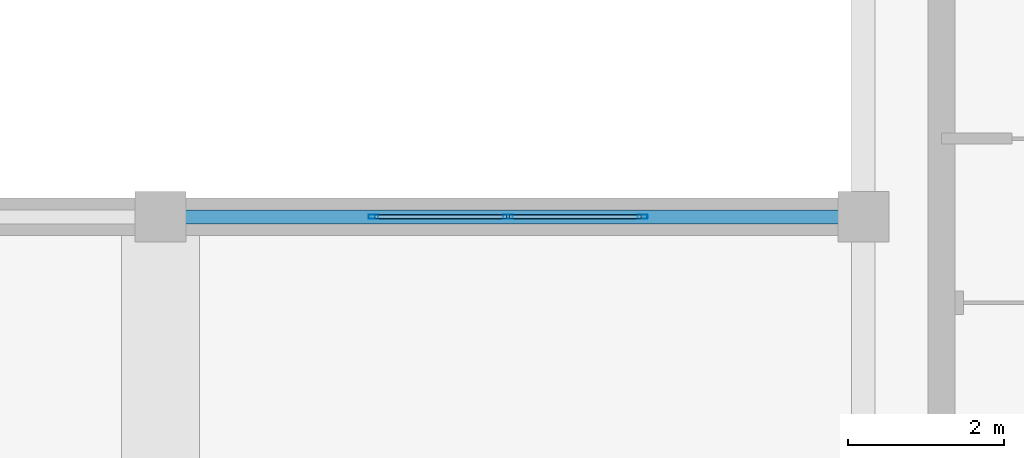
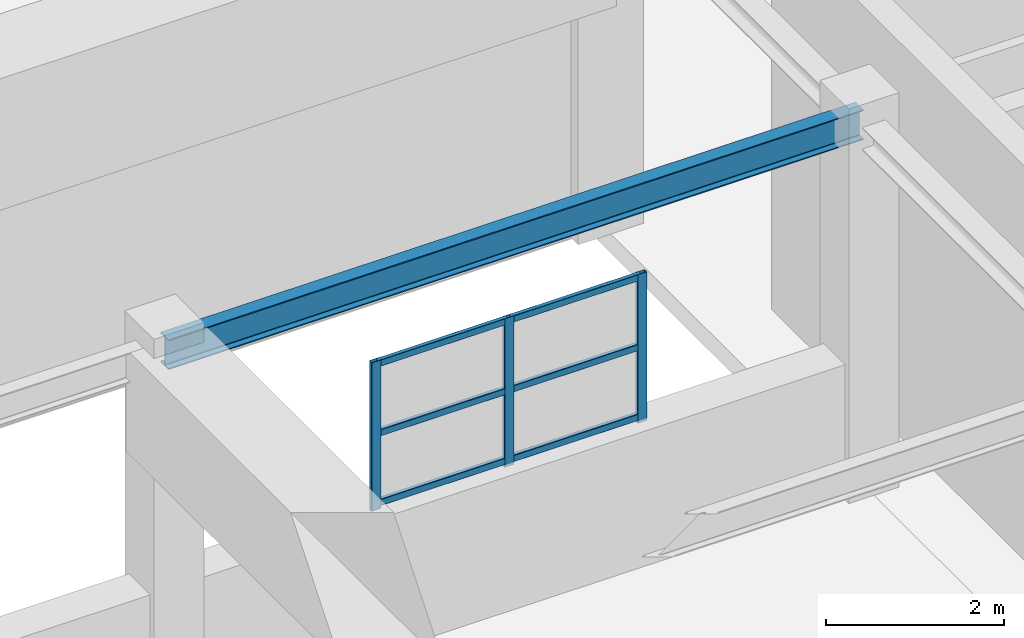
# One storey, part 31 of 197: 9 members, 1 beam, 1 element without a shape of its own.
"""IFC4 building model written with IfcOpenShell, lengths in metres."""

from ifc_helpers import new_model, si_unit, derived_unit, direction, frame, origin, origin_2d, place, context, subcontext, project, spatial, hollow_rectangle, i_section, extrude, material, layer, layer_set, material_profile, profile_set, type_object, element, aggregate, save


model = new_model("IFC4")

# Units and contexts
model_context = context("Model", 3, precision=1e-05, world=origin(), true_north=direction((0.0, 1.0)))
body_context = subcontext(model_context, "Body", "Model", "MODEL_VIEW")
ifc_project = project(units=[si_unit("LENGTHUNIT", "METRE"), si_unit("AREAUNIT", "SQUARE_METRE"), si_unit("VOLUMEUNIT", "CUBIC_METRE"), si_unit("PLANEANGLEUNIT", "RADIAN"), si_unit("MASSUNIT", "GRAM", prefix="KILO"), derived_unit("THERMALTRANSMITTANCEUNIT", [(si_unit("POWERUNIT", "WATT"), 1), (si_unit("LENGTHUNIT", "METRE"), -2), (si_unit("THERMODYNAMICTEMPERATUREUNIT", "KELVIN"), -1)])], contexts=[model_context])

# Site, building, storey
site_placement = place(None, origin())
site = spatial("IfcSite", under=ifc_project, at=site_placement, CompositionType="ELEMENT")
building_placement = place(site_placement, origin())
building = spatial("IfcBuilding", under=site, at=building_placement, Name="Almenara Railside Exhibition Hall", CompositionType="ELEMENT")
storey_placement = place(building_placement, frame((0.0, 0.0, 5.39990234375)))
storey = spatial("IfcBuildingStorey", under=building, at=storey_placement, Name="L01", CompositionType="ELEMENT", Elevation=5.39990234375)

# Curtain wall, members
ifc_material_1 = material(Name="Bronze-anodised aluminium and low-E double glazing", Category="aluminium")
ifc_layer = layer(ifc_material_1, 0.179931640625, Name="Bronze-anodised aluminium and low-E double glazing")
ifc_layer_set = layer_set([ifc_layer], Name="Bronze-anodised aluminium and low-E double glazing")
curtain_wall_type = type_object("IfcCurtainWallType", Name="Plenary Clerestory Curtain Wall 3500x2000", PredefinedType="NOTDEFINED", material=ifc_layer_set)
curtain_wall_placement = place(storey_placement, origin())
curtain_wall = element("IfcCurtainWall", 1, at=curtain_wall_placement, inside=storey, type_object=curtain_wall_type, Name="Curtain wall CW-CL5-106", PredefinedType="NOTDEFINED")
ifc_material_2 = material(Name="Bronze-anodised aluminium", Category="aluminium")
ifc_material_profile_1 = material_profile(ifc_material_2, hollow_rectangle(XDim=0.054931640625, YDim=0.125, WallThickness=0.0029296875, InnerFilletRadius=0.0029296875, OuterFilletRadius=0.006103515625, at=origin_2d()), Name="ALU-MUL 55x125x3")
ifc_profile_set_1 = profile_set([ifc_material_profile_1], Name="Bronze-anodised aluminium")
member_type_1 = type_object("IfcMemberType", Name="Curtain Wall Mullion 55x125x3", PredefinedType="MULLION", material=ifc_profile_set_1)
member_1_placement = place(storey_placement, frame((59.7275390625, 42.0, 1.815185546875), z_axis=(0.0, 0.0, 1.0), x_axis=(0.0, 1.0, 0.0)))
member_1 = element("IfcMember", 2, at=member_1_placement, type_object=member_type_1, Name="CW-CL5-106 mullion 1", PredefinedType="MULLION", context=body_context, shape_type="SweptSolid", body=[
    extrude(hollow_rectangle(XDim=0.054931640625, YDim=0.125, WallThickness=0.0029296875, InnerFilletRadius=0.0029296875, OuterFilletRadius=0.006103515625, at=origin_2d()), origin(), (0.0, 0.0, 1.0), 2.034912109375),
])
member_2_placement = place(storey_placement, frame((61.449951171875, 42.0, 1.815185546875), z_axis=(0.0, 0.0, 1.0), x_axis=(0.0, 1.0, 0.0)))
member_2 = element("IfcMember", 3, at=member_2_placement, type_object=member_type_1, Name="CW-CL5-106 mullion 2", PredefinedType="MULLION", context=body_context, shape_type="SweptSolid", body=[
    extrude(hollow_rectangle(XDim=0.054931640625, YDim=0.125, WallThickness=0.0029296875, InnerFilletRadius=0.0029296875, OuterFilletRadius=0.006103515625, at=origin_2d()), origin(), (0.0, 0.0, 1.0), 2.034912109375),
])
member_3_placement = place(storey_placement, frame((63.172607421875, 42.0, 1.815185546875), z_axis=(0.0, 0.0, 1.0), x_axis=(0.0, 1.0, 0.0)))
member_3 = element("IfcMember", 4, at=member_3_placement, type_object=member_type_1, Name="CW-CL5-106 mullion 3", PredefinedType="MULLION", context=body_context, shape_type="SweptSolid", body=[
    extrude(hollow_rectangle(XDim=0.054931640625, YDim=0.125, WallThickness=0.0029296875, InnerFilletRadius=0.0029296875, OuterFilletRadius=0.006103515625, at=origin_2d()), origin(), (0.0, 0.0, 1.0), 2.034912109375),
])
ifc_material_profile_2 = material_profile(ifc_material_2, hollow_rectangle(XDim=0.054931640625, YDim=0.090087890625, WallThickness=0.0029296875, InnerFilletRadius=0.0029296875, OuterFilletRadius=0.006103515625, at=origin_2d()), Name="ALU-TRN 55x90x3")
ifc_profile_set_2 = profile_set([ifc_material_profile_2], Name="Bronze-anodised aluminium")
member_type_2 = type_object("IfcMemberType", Name="Curtain Wall Transom 55x90x3", PredefinedType="USERDEFINED", material=ifc_profile_set_2)
member_4_placement = place(storey_placement, frame((59.7470703125, 42.0, 1.89501953125), z_axis=(1.0, 0.0, 0.0), x_axis=(0.0, 1.0, 0.0)))
member_4 = element("IfcMember", 5, at=member_4_placement, type_object=member_type_2, Name="CW-CL5-106 transom 1.1", ObjectType="TRANSOM", PredefinedType="USERDEFINED", context=body_context, shape_type="SweptSolid", body=[
    extrude(hollow_rectangle(XDim=0.054931640625, YDim=0.090087890625, WallThickness=0.0029296875, InnerFilletRadius=0.0029296875, OuterFilletRadius=0.006103515625, at=origin_2d()), origin(), (0.0, 0.0, 1.0), 1.683349609375),
])
member_5_placement = place(storey_placement, frame((59.7470703125, 42.0, 2.85009765625), z_axis=(1.0, 0.0, 0.0), x_axis=(0.0, 1.0, 0.0)))
member_5 = element("IfcMember", 6, at=member_5_placement, type_object=member_type_2, Name="CW-CL5-106 transom 1.2", ObjectType="TRANSOM", PredefinedType="USERDEFINED", context=body_context, shape_type="SweptSolid", body=[
    extrude(hollow_rectangle(XDim=0.054931640625, YDim=0.090087890625, WallThickness=0.0029296875, InnerFilletRadius=0.0029296875, OuterFilletRadius=0.006103515625, at=origin_2d()), origin(), (0.0, 0.0, 1.0), 1.683349609375),
])
member_6_placement = place(storey_placement, frame((59.7470703125, 42.0, 3.80517578125), z_axis=(1.0, 0.0, 0.0), x_axis=(0.0, 1.0, 0.0)))
member_6 = element("IfcMember", 7, at=member_6_placement, type_object=member_type_2, Name="CW-CL5-106 transom 1.3", ObjectType="TRANSOM", PredefinedType="USERDEFINED", context=body_context, shape_type="SweptSolid", body=[
    extrude(hollow_rectangle(XDim=0.054931640625, YDim=0.090087890625, WallThickness=0.0029296875, InnerFilletRadius=0.0029296875, OuterFilletRadius=0.006103515625, at=origin_2d()), origin(), (0.0, 0.0, 1.0), 1.683349609375),
])
member_7_placement = place(storey_placement, frame((61.469482421875, 42.0, 1.89501953125), z_axis=(1.0, 0.0, 0.0), x_axis=(0.0, 1.0, 0.0)))
member_7 = element("IfcMember", 8, at=member_7_placement, type_object=member_type_2, Name="CW-CL5-106 transom 2.1", ObjectType="TRANSOM", PredefinedType="USERDEFINED", context=body_context, shape_type="SweptSolid", body=[
    extrude(hollow_rectangle(XDim=0.054931640625, YDim=0.090087890625, WallThickness=0.0029296875, InnerFilletRadius=0.0029296875, OuterFilletRadius=0.006103515625, at=origin_2d()), origin(), (0.0, 0.0, 1.0), 1.68359375),
])
member_8_placement = place(storey_placement, frame((61.469482421875, 42.0, 2.85009765625), z_axis=(1.0, 0.0, 0.0), x_axis=(0.0, 1.0, 0.0)))
member_8 = element("IfcMember", 9, at=member_8_placement, type_object=member_type_2, Name="CW-CL5-106 transom 2.2", ObjectType="TRANSOM", PredefinedType="USERDEFINED", context=body_context, shape_type="SweptSolid", body=[
    extrude(hollow_rectangle(XDim=0.054931640625, YDim=0.090087890625, WallThickness=0.0029296875, InnerFilletRadius=0.0029296875, OuterFilletRadius=0.006103515625, at=origin_2d()), origin(), (0.0, 0.0, 1.0), 1.68359375),
])
member_9_placement = place(storey_placement, frame((61.469482421875, 42.0, 3.80517578125), z_axis=(1.0, 0.0, 0.0), x_axis=(0.0, 1.0, 0.0)))
member_9 = element("IfcMember", 10, at=member_9_placement, type_object=member_type_2, Name="CW-CL5-106 transom 2.3", ObjectType="TRANSOM", PredefinedType="USERDEFINED", context=body_context, shape_type="SweptSolid", body=[
    extrude(hollow_rectangle(XDim=0.054931640625, YDim=0.090087890625, WallThickness=0.0029296875, InnerFilletRadius=0.0029296875, OuterFilletRadius=0.006103515625, at=origin_2d()), origin(), (0.0, 0.0, 1.0), 1.68359375),
])
aggregate(curtain_wall, [member_1, member_2, member_3, member_4, member_5, member_6, member_7, member_8, member_9])

# Beam
ifc_material_3 = material(Name="Structural steel S355JR", Category="steel")
ifc_material_profile_3 = material_profile(ifc_material_3, i_section(OverallWidth=0.1787109375, OverallDepth=0.409423828125, WebThickness=0.0087890625, FlangeThickness=0.014404296875, FilletRadius=0.01025390625, at=origin_2d()), Name="UB 406x178x67")
ifc_profile_set_3 = profile_set([ifc_material_profile_3], Name="Structural steel S355JR")
beam_type = type_object("IfcBeamType", Name="Steel Plenary Joist UB 406x178x67 S355JR", PredefinedType="JOIST", material=ifc_profile_set_3)
beam_placement = place(storey_placement, frame((57.0, 42.0, 4.931396484375), z_axis=(1.0, 0.0, 0.0), x_axis=(0.0, 1.0, 0.0)))
element("IfcBeam", 11, at=beam_placement, inside=storey, type_object=beam_type, Name="Beam 0936", PredefinedType="JOIST", context=body_context, shape_type="SweptSolid", body=[
    extrude(i_section(OverallWidth=0.1787109375, OverallDepth=0.409423828125, WebThickness=0.0087890625, FlangeThickness=0.014404296875, FilletRadius=0.01025390625, at=origin_2d()), origin(), (0.0, 0.0, 1.0), 9.0),
])

save(model, "model.ifc")
